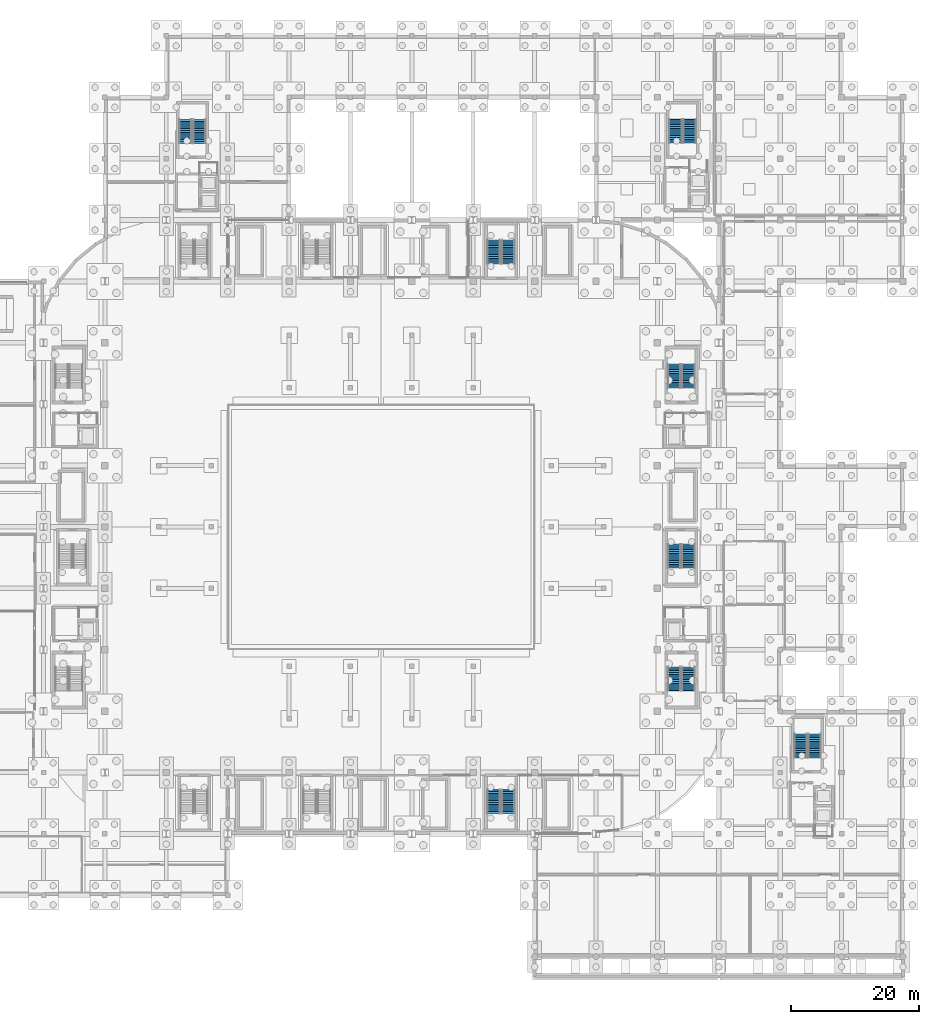
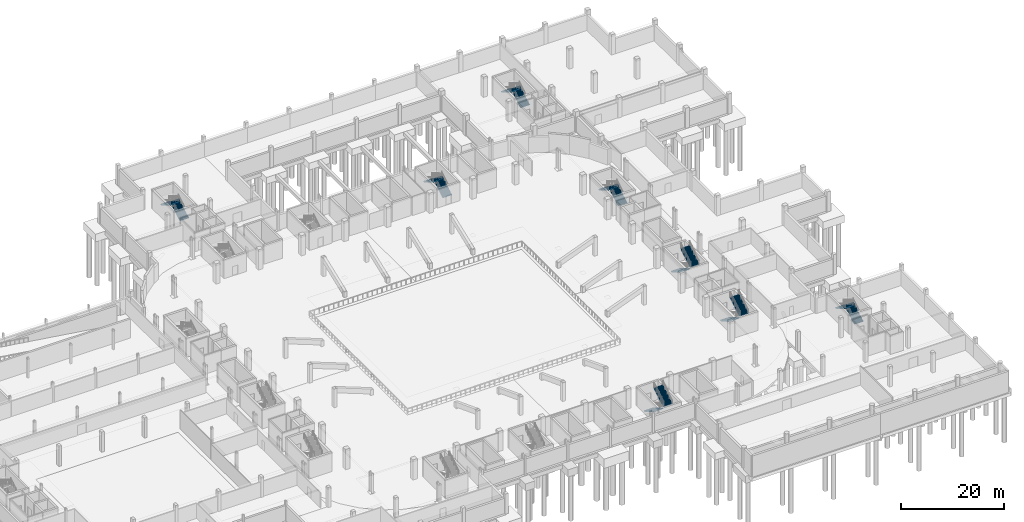
# One storey, part 38 of 67: 16 stair flights, 8 elements without a shape of their own.
"""IFC4 building model written with IfcOpenShell, lengths in metres."""

import ifcopenshell
import ifcopenshell.guid

model = None  # the IFC model being written
_history = None  # IfcOwnerHistory: only IFC2X3 demands one
_inside = {}  # id of a spatial element -> (the spatial element, [elements in it])
_under = {}  # id of a project, library or spatial element -> (it, [spatial elements below it])
_declared = {}  # id of a project -> (the project, [libraries it declares])
_typed = {}  # id of a type object -> (the type object, [elements of that type])
_made_of = {}  # id of a material, layer set ... -> (it, [elements and type objects made of it])


def new_model(schema):
    """Start an empty IFC model of exactly this schema.

    Asked for "IFC4X3", IfcOpenShell would pick the latest addendum, in which some entities
    have other attributes; the version numbers below select the first issue.
    IFC2X3 requires an IfcOwnerHistory on every rooted entity: one is made here for all.
    """
    global model, _history
    if schema == "IFC4X3":
        model = ifcopenshell.file(schema_version=(4, 3, 0, 0))
    else:
        model = ifcopenshell.file(schema=schema)
    _inside.clear()
    _under.clear()
    _declared.clear()
    _typed.clear()
    _made_of.clear()
    _history = None
    if model.schema == "IFC2X3":
        org = make("IfcOrganization", Name="unknown")
        user = make(
            "IfcPersonAndOrganization",
            ThePerson=make("IfcPerson", FamilyName="unknown"),
            TheOrganization=org,
        )
        app = make(
            "IfcApplication",
            ApplicationDeveloper=org,
            Version="unknown",
            ApplicationFullName="unknown",
            ApplicationIdentifier="unknown",
        )
        _history = make(
            "IfcOwnerHistory",
            OwningUser=user,
            OwningApplication=app,
            ChangeAction="ADDED",
            CreationDate=0,
        )
    return model


def make(cls, **values):
    """One entity of the class cls with the attributes given. An attribute that is None is left unset."""
    return model.create_entity(
        cls, **{name: value for name, value in values.items() if value is not None}
    )


def rooted(cls, **values):
    """An entity with a GlobalId (a new one), such as an element, a storey or a relation."""
    return make(cls, GlobalId=ifcopenshell.guid.new(), OwnerHistory=_history, **values)


def si_unit(unit_type, name, prefix=None):
    """IfcSIUnit, for example si_unit("LENGTHUNIT", "METRE", prefix="MILLI")."""
    return make("IfcSIUnit", UnitType=unit_type, Prefix=prefix, Name=name)


def assignment(units):
    """IfcUnitAssignment: the units of a project."""
    return None if units is None else make("IfcUnitAssignment", Units=units)


def point(xyz):
    """IfcCartesianPoint."""
    return None if xyz is None else make("IfcCartesianPoint", Coordinates=xyz)


def direction(xyz):
    """IfcDirection."""
    return None if xyz is None else make("IfcDirection", DirectionRatios=xyz)


def frame(location, z_axis=None, x_axis=None):
    """IfcAxis2Placement3D, a coordinate frame: its origin and axes. An axis left out is left unset."""
    return make(
        "IfcAxis2Placement3D",
        Location=point(location),
        Axis=direction(z_axis),
        RefDirection=direction(x_axis),
    )


def origin():
    """The frame at (0, 0, 0) with its axes left unset."""
    return frame((0.0, 0.0, 0.0))


def place(relative_to, where):
    """IfcLocalPlacement: puts the frame where relative to a parent placement (None: the world)."""
    return make(
        "IfcLocalPlacement", PlacementRelTo=relative_to, RelativePlacement=where
    )


def context(
    kind, dimensions, precision=None, world=None, true_north=None, identifier=None
):
    """IfcGeometricRepresentationContext, for example the 3D "Model" context."""
    return make(
        "IfcGeometricRepresentationContext",
        ContextIdentifier=identifier,
        ContextType=kind,
        CoordinateSpaceDimension=dimensions,
        Precision=precision,
        WorldCoordinateSystem=world,
        TrueNorth=true_north,
    )


def subcontext(parent, identifier, kind, view, scale=None):
    """IfcGeometricRepresentationSubContext, for example "Body" below "Model"."""
    return make(
        "IfcGeometricRepresentationSubContext",
        ContextIdentifier=identifier,
        ContextType=kind,
        ParentContext=parent,
        TargetScale=scale,
        TargetView=view,
    )


def project(units=None, contexts=None):
    """IfcProject with its units and contexts."""
    return rooted(
        "IfcProject",
        Name="project",
        RepresentationContexts=contexts,
        UnitsInContext=assignment(units),
    )


def spatial(cls, under=None, at=None, **own):
    """A site, building, storey or space (cls), placed at a placement, below another one or the project."""
    s = rooted(cls, ObjectPlacement=at, **own)
    if under is not None:
        _under.setdefault(under.id(), (under, []))[1].append(s)
    return s


def polyline(points):
    """IfcPolyline through the points."""
    return make("IfcPolyline", Points=[point(p) for p in points])


def outline(outer, holes=None, kind="AREA"):
    """IfcArbitraryClosedProfileDef: a profile drawn as a closed curve; with holes, ...WithVoids."""
    if holes is None:
        return make("IfcArbitraryClosedProfileDef", ProfileType=kind, OuterCurve=outer)
    return make(
        "IfcArbitraryProfileDefWithVoids",
        ProfileType=kind,
        OuterCurve=outer,
        InnerCurves=holes,
    )


def extrude(swept, where, along, depth):
    """IfcExtrudedAreaSolid: the profile swept, set in the frame where, extruded along a direction by depth."""
    return make(
        "IfcExtrudedAreaSolid",
        SweptArea=swept,
        Position=where,
        ExtrudedDirection=direction(along),
        Depth=depth,
    )


def shape(context_of_items, identifier, shape_type, items):
    """IfcShapeRepresentation: the items that make up one representation, for example the "Body"."""
    return make(
        "IfcShapeRepresentation",
        ContextOfItems=context_of_items,
        RepresentationIdentifier=identifier,
        RepresentationType=shape_type,
        Items=items,
    )


def material(Name=None, Category=None):
    """IfcMaterial."""
    return make("IfcMaterial", Name=Name, Category=Category)


def made_of(thing, what):
    """Note that an element or type object is made of a material, layer set ...; save() writes the relation."""
    if what is not None:
        _made_of.setdefault(what.id(), (what, []))[1].append(thing)
    return thing


def type_object(cls, material=None, **own):
    """A type object (cls), such as IfcWallType, which elements share."""
    return made_of(rooted(cls, **own), material)


def element(
    cls,
    number,
    at=None,
    inside=None,
    cuts=None,
    type_object=None,
    material=None,
    context=None,
    identifier="Body",
    shape_type=None,
    held_by="IfcProductDefinitionShape",
    body=None,
    shapes=None,
    **own,
):
    """One element of the class cls, such as IfcWall. Its Tag is "e" and its number.

    at: its placement. inside: the storey or other place that contains it. cuts: it is an
    opening in that element (IfcRelVoidsElement). A single representation is given by context,
    identifier, shape_type and body (its items); several are given by shapes. held_by: the class
    of the entity that holds the representations. save() writes the other relations.
    """
    e = rooted(cls, Tag="e%d" % number, ObjectPlacement=at, **own)
    if body is not None:
        shapes = [shape(context, identifier, shape_type, body)]
    if shapes is not None:
        e.Representation = make(held_by, Representations=shapes)
    if inside is not None:
        _inside.setdefault(inside.id(), (inside, []))[1].append(e)
    if cuts is not None:
        rooted(
            "IfcRelVoidsElement", RelatingBuildingElement=cuts, RelatedOpeningElement=e
        )
    if type_object is not None:
        _typed.setdefault(type_object.id(), (type_object, []))[1].append(e)
    return made_of(e, material)


def aggregate(whole, parts):
    """IfcRelAggregates: a whole, such as a stair, and the parts it consists of."""
    return rooted("IfcRelAggregates", RelatingObject=whole, RelatedObjects=parts)


def save(model, path):
    """Write the relations noted so far, then the file.

    IfcRelAggregates (storeys below a building ...), IfcRelContainedInSpatialStructure (elements
    in a storey), IfcRelDefinesByType, IfcRelAssociatesMaterial and IfcRelDeclares: one each for
    every whole, place, type object, material and project.
    """
    for whole, parts in _under.values():
        aggregate(whole, parts)
    for where, things in _inside.values():
        rooted(
            "IfcRelContainedInSpatialStructure",
            RelatedElements=things,
            RelatingStructure=where,
        )
    for kind, things in _typed.values():
        rooted("IfcRelDefinesByType", RelatedObjects=things, RelatingType=kind)
    for what, things in _made_of.values():
        rooted("IfcRelAssociatesMaterial", RelatedObjects=things, RelatingMaterial=what)
    for by, libraries in _declared.values():
        rooted("IfcRelDeclares", RelatingContext=by, RelatedDefinitions=libraries)
    model.write(path)


model = new_model("IFC4")

# Units and contexts
model_context = context("Model", 3, precision=1e-05, world=origin(), true_north=direction((0.0, 1.0)))
body_context = subcontext(model_context, "Body", "Model", "MODEL_VIEW")
ifc_project = project(units=[si_unit("LENGTHUNIT", "METRE"), si_unit("AREAUNIT", "SQUARE_METRE"), si_unit("VOLUMEUNIT", "CUBIC_METRE"), si_unit("PLANEANGLEUNIT", "RADIAN"), si_unit("MASSUNIT", "GRAM", prefix="KILO")], contexts=[model_context])

# Site, building, storey
site_placement = place(None, origin())
site = spatial("IfcSite", under=ifc_project, at=site_placement, CompositionType="ELEMENT")
building_placement = place(site_placement, origin())
building = spatial("IfcBuilding", under=site, at=building_placement, Name="Caelomonte Colonnade Arena", CompositionType="ELEMENT")
storey_placement = place(building_placement, frame((0.0, 0.0, -4.800048828125)))
storey = spatial("IfcBuildingStorey", under=building, at=storey_placement, Name="B1", CompositionType="ELEMENT", Elevation=-4.800048828125)

# Stair, stair flights
ifc_material = material(Name="Concrete C40/50", Category="concrete")
stair_type_1 = type_object("IfcStairType", Name="INT-ST-CORE48", PredefinedType="HALF_TURN_STAIR", material=ifc_material)
stair_1_placement = place(storey_placement, origin())
stair_1 = element("IfcStair", 1, at=stair_1_placement, inside=storey, type_object=stair_type_1, Name="B1 Protected exit stair ST-10", PredefinedType="HALF_TURN_STAIR")
stair_flight_type_1 = type_object("IfcStairFlightType", Name="INT-SF-CORE48", PredefinedType="STRAIGHT", material=ifc_material)
stair_flight_1_placement = place(storey_placement, frame((156.22509765625, 64.5, 0.0), z_axis=(0.0, 0.0, 1.0), x_axis=(0.0, -1.0, 0.0)))
stair_flight_1 = element("IfcStairFlight", 2, at=stair_flight_1_placement, type_object=stair_flight_type_1, Name="ST-10 flight 1", NumberOfRisers=14, NumberOfTreads=13, PredefinedType="STRAIGHT", RiserHeight=0.171428571, TreadLength=0.285, context=body_context, shape_type="SweptSolid", body=[
    extrude(outline(polyline([(-0.02490234375, 0.0), (-0.02490234375, 0.102783203125), (0.0, 0.102783203125), (0.0, 0.17138671875), (0.284912109375, 0.17138671875), (0.284912109375, 0.3427734375), (0.570068359375, 0.3427734375), (0.570068359375, 0.514404296875), (0.85498046875, 0.514404296875), (0.85498046875, 0.685791015625), (1.139892578125, 0.685791015625), (1.139892578125, 0.857177734375), (1.425048828125, 0.857177734375), (1.425048828125, 1.028564453125), (1.7099609375, 1.028564453125), (1.7099609375, 1.199951171875), (1.9951171875, 1.199951171875), (1.9951171875, 1.371337890625), (2.280029296875, 1.371337890625), (2.280029296875, 1.54296875), (2.56494140625, 1.54296875), (2.56494140625, 1.71435546875), (2.85009765625, 1.71435546875), (2.85009765625, 1.8857421875), (3.135009765625, 1.8857421875), (3.135009765625, 2.05712890625), (3.419921875, 2.05712890625), (3.419921875, 2.228515625), (3.705078125, 2.228515625), (3.705078125, 2.39990234375), (3.72998046875, 2.39990234375), (3.72998046875, 2.0537109375), (0.290771484375, 0.0), (-0.02490234375, 0.0)])), frame((0.0, 1.02490234375, 0.0), z_axis=(0.0, -1.0, 0.0), x_axis=(1.0, 0.0, 0.0)), (0.0, 0.0, 1.0), 2.050048828125),
])
stair_flight_2_placement = place(storey_placement, frame((158.47509765625, 60.794921875, 2.400146484375), z_axis=(0.0, 0.0, 1.0), x_axis=(0.0, 1.0, 0.0)))
stair_flight_2 = element("IfcStairFlight", 3, at=stair_flight_2_placement, type_object=stair_flight_type_1, Name="ST-10 flight 2", NumberOfRisers=14, NumberOfTreads=13, PredefinedType="STRAIGHT", RiserHeight=0.171428571, TreadLength=0.285, context=body_context, shape_type="SweptSolid", body=[
    extrude(outline(polyline([(-0.02490234375, 0.0), (-0.02490234375, 0.102783203125), (0.0, 0.102783203125), (0.0, 0.17138671875), (0.284912109375, 0.17138671875), (0.284912109375, 0.3427734375), (0.570068359375, 0.3427734375), (0.570068359375, 0.514404296875), (0.85498046875, 0.514404296875), (0.85498046875, 0.685791015625), (1.139892578125, 0.685791015625), (1.139892578125, 0.857177734375), (1.425048828125, 0.857177734375), (1.425048828125, 1.028564453125), (1.7099609375, 1.028564453125), (1.7099609375, 1.199951171875), (1.9951171875, 1.199951171875), (1.9951171875, 1.371337890625), (2.280029296875, 1.371337890625), (2.280029296875, 1.54296875), (2.56494140625, 1.54296875), (2.56494140625, 1.71435546875), (2.85009765625, 1.71435546875), (2.85009765625, 1.8857421875), (3.135009765625, 1.8857421875), (3.135009765625, 2.05712890625), (3.419921875, 2.05712890625), (3.419921875, 2.228515625), (3.705078125, 2.228515625), (3.705078125, 2.39990234375), (3.72998046875, 2.39990234375), (3.72998046875, 2.0537109375), (0.290771484375, 0.0), (-0.02490234375, 0.0)])), frame((0.0, 1.02490234375, 0.0), z_axis=(0.0, -1.0, 0.0), x_axis=(1.0, 0.0, 0.0)), (0.0, 0.0, 1.0), 2.050048828125),
])
aggregate(stair_1, [stair_flight_1, stair_flight_2])

stair_2_placement = place(storey_placement, origin())
stair_2 = element("IfcStair", 4, at=stair_2_placement, inside=storey, type_object=stair_type_1, Name="B1 Protected exit stair ST-13", PredefinedType="HALF_TURN_STAIR")
stair_flight_3_placement = place(storey_placement, frame((128.02490234375, 26.10009765625, 0.0), z_axis=(0.0, 0.0, 1.0), x_axis=(0.0, -1.0, 0.0)))
stair_flight_3 = element("IfcStairFlight", 5, at=stair_flight_3_placement, type_object=stair_flight_type_1, Name="ST-13 flight 1", NumberOfRisers=14, NumberOfTreads=13, PredefinedType="STRAIGHT", RiserHeight=0.171428571, TreadLength=0.285, context=body_context, shape_type="SweptSolid", body=[
    extrude(outline(polyline([(-0.02490234375, 0.0), (-0.02490234375, 0.102783203125), (0.0, 0.102783203125), (0.0, 0.17138671875), (0.284912109375, 0.17138671875), (0.284912109375, 0.3427734375), (0.570068359375, 0.3427734375), (0.570068359375, 0.514404296875), (0.85498046875, 0.514404296875), (0.85498046875, 0.685791015625), (1.139892578125, 0.685791015625), (1.139892578125, 0.857177734375), (1.425048828125, 0.857177734375), (1.425048828125, 1.028564453125), (1.7099609375, 1.028564453125), (1.7099609375, 1.199951171875), (1.9951171875, 1.199951171875), (1.9951171875, 1.371337890625), (2.280029296875, 1.371337890625), (2.280029296875, 1.54296875), (2.56494140625, 1.54296875), (2.56494140625, 1.71435546875), (2.85009765625, 1.71435546875), (2.85009765625, 1.8857421875), (3.135009765625, 1.8857421875), (3.135009765625, 2.05712890625), (3.419921875, 2.05712890625), (3.419921875, 2.228515625), (3.705078125, 2.228515625), (3.705078125, 2.39990234375), (3.72998046875, 2.39990234375), (3.72998046875, 2.0537109375), (0.290771484375, 0.0), (-0.02490234375, 0.0)])), frame((0.0, 1.02490234375, 0.0), z_axis=(0.0, -1.0, 0.0), x_axis=(1.0, 0.0, 0.0)), (0.0, 0.0, 1.0), 2.050048828125),
])
stair_flight_4_placement = place(storey_placement, frame((130.27490234375, 22.39501953125, 2.400146484375), z_axis=(0.0, 0.0, 1.0), x_axis=(0.0, 1.0, 0.0)))
stair_flight_4 = element("IfcStairFlight", 6, at=stair_flight_4_placement, type_object=stair_flight_type_1, Name="ST-13 flight 2", NumberOfRisers=14, NumberOfTreads=13, PredefinedType="STRAIGHT", RiserHeight=0.171428571, TreadLength=0.285, context=body_context, shape_type="SweptSolid", body=[
    extrude(outline(polyline([(-0.02490234375, 0.0), (-0.02490234375, 0.102783203125), (0.0, 0.102783203125), (0.0, 0.17138671875), (0.284912109375, 0.17138671875), (0.284912109375, 0.3427734375), (0.570068359375, 0.3427734375), (0.570068359375, 0.514404296875), (0.85498046875, 0.514404296875), (0.85498046875, 0.685791015625), (1.139892578125, 0.685791015625), (1.139892578125, 0.857177734375), (1.425048828125, 0.857177734375), (1.425048828125, 1.028564453125), (1.7099609375, 1.028564453125), (1.7099609375, 1.199951171875), (1.9951171875, 1.199951171875), (1.9951171875, 1.371337890625), (2.280029296875, 1.371337890625), (2.280029296875, 1.54296875), (2.56494140625, 1.54296875), (2.56494140625, 1.71435546875), (2.85009765625, 1.71435546875), (2.85009765625, 1.8857421875), (3.135009765625, 1.8857421875), (3.135009765625, 2.05712890625), (3.419921875, 2.05712890625), (3.419921875, 2.228515625), (3.705078125, 2.228515625), (3.705078125, 2.39990234375), (3.72998046875, 2.39990234375), (3.72998046875, 2.0537109375), (0.290771484375, 0.0), (-0.02490234375, 0.0)])), frame((0.0, 1.02490234375, 0.0), z_axis=(0.0, -1.0, 0.0), x_axis=(1.0, 0.0, 0.0)), (0.0, 0.0, 1.0), 2.050048828125),
])
aggregate(stair_2, [stair_flight_3, stair_flight_4])

stair_3_placement = place(storey_placement, origin())
stair_3 = element("IfcStair", 7, at=stair_3_placement, inside=storey, type_object=stair_type_1, Name="B1 Protected exit stair ST-16", PredefinedType="HALF_TURN_STAIR")
stair_flight_5_placement = place(storey_placement, frame((130.27490234375, 108.35009765625, 0.0), z_axis=(0.0, 0.0, 1.0), x_axis=(0.0, 1.0, 0.0)))
stair_flight_5 = element("IfcStairFlight", 8, at=stair_flight_5_placement, type_object=stair_flight_type_1, Name="ST-16 flight 1", NumberOfRisers=14, NumberOfTreads=13, PredefinedType="STRAIGHT", RiserHeight=0.171428571, TreadLength=0.285, context=body_context, shape_type="SweptSolid", body=[
    extrude(outline(polyline([(-0.02490234375, 0.0), (-0.02490234375, 0.102783203125), (0.0, 0.102783203125), (0.0, 0.17138671875), (0.284912109375, 0.17138671875), (0.284912109375, 0.3427734375), (0.570068359375, 0.3427734375), (0.570068359375, 0.514404296875), (0.85498046875, 0.514404296875), (0.85498046875, 0.685791015625), (1.139892578125, 0.685791015625), (1.139892578125, 0.857177734375), (1.425048828125, 0.857177734375), (1.425048828125, 1.028564453125), (1.7099609375, 1.028564453125), (1.7099609375, 1.199951171875), (1.9951171875, 1.199951171875), (1.9951171875, 1.371337890625), (2.280029296875, 1.371337890625), (2.280029296875, 1.54296875), (2.56494140625, 1.54296875), (2.56494140625, 1.71435546875), (2.85009765625, 1.71435546875), (2.85009765625, 1.8857421875), (3.135009765625, 1.8857421875), (3.135009765625, 2.05712890625), (3.419921875, 2.05712890625), (3.419921875, 2.228515625), (3.705078125, 2.228515625), (3.705078125, 2.39990234375), (3.72998046875, 2.39990234375), (3.72998046875, 2.0537109375), (0.290771484375, 0.0), (-0.02490234375, 0.0)])), frame((0.0, 1.02490234375, 0.0), z_axis=(0.0, -1.0, 0.0), x_axis=(1.0, 0.0, 0.0)), (0.0, 0.0, 1.0), 2.050048828125),
])
stair_flight_6_placement = place(storey_placement, frame((128.02490234375, 112.054931640625, 2.400146484375), z_axis=(0.0, 0.0, 1.0), x_axis=(0.0, -1.0, 0.0)))
stair_flight_6 = element("IfcStairFlight", 9, at=stair_flight_6_placement, type_object=stair_flight_type_1, Name="ST-16 flight 2", NumberOfRisers=14, NumberOfTreads=13, PredefinedType="STRAIGHT", RiserHeight=0.171428571, TreadLength=0.285, context=body_context, shape_type="SweptSolid", body=[
    extrude(outline(polyline([(-0.02490234375, 0.0), (-0.02490234375, 0.102783203125), (0.0, 0.102783203125), (0.0, 0.17138671875), (0.284912109375, 0.17138671875), (0.284912109375, 0.3427734375), (0.570068359375, 0.3427734375), (0.570068359375, 0.514404296875), (0.85498046875, 0.514404296875), (0.85498046875, 0.685791015625), (1.139892578125, 0.685791015625), (1.139892578125, 0.857177734375), (1.425048828125, 0.857177734375), (1.425048828125, 1.028564453125), (1.7099609375, 1.028564453125), (1.7099609375, 1.199951171875), (1.9951171875, 1.199951171875), (1.9951171875, 1.371337890625), (2.280029296875, 1.371337890625), (2.280029296875, 1.54296875), (2.56494140625, 1.54296875), (2.56494140625, 1.71435546875), (2.85009765625, 1.71435546875), (2.85009765625, 1.8857421875), (3.135009765625, 1.8857421875), (3.135009765625, 2.05712890625), (3.419921875, 2.05712890625), (3.419921875, 2.228515625), (3.705078125, 2.228515625), (3.705078125, 2.39990234375), (3.72998046875, 2.39990234375), (3.72998046875, 2.0537109375), (0.290771484375, 0.0), (-0.02490234375, 0.0)])), frame((0.0, 1.02490234375, 0.0), z_axis=(0.0, -1.0, 0.0), x_axis=(1.0, 0.0, 0.0)), (0.0, 0.0, 1.0), 2.050048828125),
])
aggregate(stair_3, [stair_flight_5, stair_flight_6])

stair_type_2 = type_object("IfcStairType", Name="INT-ST-WING48", PredefinedType="HALF_TURN_STAIR", material=ifc_material)
stair_4_placement = place(storey_placement, origin())
stair_4 = element("IfcStair", 10, at=stair_4_placement, inside=storey, type_object=stair_type_2, Name="B1 Core C2 exit stair ST-02", PredefinedType="HALF_TURN_STAIR")
stair_flight_type_2 = type_object("IfcStairFlightType", Name="INT-SF-WING48", PredefinedType="STRAIGHT", material=ifc_material)
stair_flight_7_placement = place(storey_placement, frame((156.22509765625, 45.300048828125, 0.0), z_axis=(0.0, 0.0, 1.0), x_axis=(0.0, -1.0, 0.0)))
stair_flight_7 = element("IfcStairFlight", 11, at=stair_flight_7_placement, type_object=stair_flight_type_2, Name="ST-02 flight 1", NumberOfRisers=14, NumberOfTreads=13, PredefinedType="STRAIGHT", RiserHeight=0.171428571, TreadLength=0.285, context=body_context, shape_type="SweptSolid", body=[
    extrude(outline(polyline([(-0.02490234375, 0.0), (-0.02490234375, 0.102783203125), (0.0, 0.102783203125), (0.0, 0.17138671875), (0.284912109375, 0.17138671875), (0.284912109375, 0.3427734375), (0.570068359375, 0.3427734375), (0.570068359375, 0.514404296875), (0.85498046875, 0.514404296875), (0.85498046875, 0.685791015625), (1.139892578125, 0.685791015625), (1.139892578125, 0.857177734375), (1.425048828125, 0.857177734375), (1.425048828125, 1.028564453125), (1.7099609375, 1.028564453125), (1.7099609375, 1.199951171875), (1.9951171875, 1.199951171875), (1.9951171875, 1.371337890625), (2.280029296875, 1.371337890625), (2.280029296875, 1.54296875), (2.56494140625, 1.54296875), (2.56494140625, 1.71435546875), (2.85009765625, 1.71435546875), (2.85009765625, 1.8857421875), (3.135009765625, 1.8857421875), (3.135009765625, 2.05712890625), (3.419921875, 2.05712890625), (3.419921875, 2.228515625), (3.705078125, 2.228515625), (3.705078125, 2.39990234375), (3.72998046875, 2.39990234375), (3.72998046875, 2.0537109375), (0.290771484375, 0.0), (-0.02490234375, 0.0)])), frame((0.0, 1.02490234375, 0.0), z_axis=(0.0, -1.0, 0.0), x_axis=(1.0, 0.0, 0.0)), (0.0, 0.0, 1.0), 2.050048828125),
])
stair_flight_8_placement = place(storey_placement, frame((158.47509765625, 41.594970703125, 2.400146484375), z_axis=(0.0, 0.0, 1.0), x_axis=(0.0, 1.0, 0.0)))
stair_flight_8 = element("IfcStairFlight", 12, at=stair_flight_8_placement, type_object=stair_flight_type_2, Name="ST-02 flight 2", NumberOfRisers=14, NumberOfTreads=13, PredefinedType="STRAIGHT", RiserHeight=0.171428571, TreadLength=0.285, context=body_context, shape_type="SweptSolid", body=[
    extrude(outline(polyline([(-0.02490234375, 0.0), (-0.02490234375, 0.102783203125), (0.0, 0.102783203125), (0.0, 0.17138671875), (0.284912109375, 0.17138671875), (0.284912109375, 0.3427734375), (0.570068359375, 0.3427734375), (0.570068359375, 0.514404296875), (0.85498046875, 0.514404296875), (0.85498046875, 0.685791015625), (1.139892578125, 0.685791015625), (1.139892578125, 0.857177734375), (1.425048828125, 0.857177734375), (1.425048828125, 1.028564453125), (1.7099609375, 1.028564453125), (1.7099609375, 1.199951171875), (1.9951171875, 1.199951171875), (1.9951171875, 1.371337890625), (2.280029296875, 1.371337890625), (2.280029296875, 1.54296875), (2.56494140625, 1.54296875), (2.56494140625, 1.71435546875), (2.85009765625, 1.71435546875), (2.85009765625, 1.8857421875), (3.135009765625, 1.8857421875), (3.135009765625, 2.05712890625), (3.419921875, 2.05712890625), (3.419921875, 2.228515625), (3.705078125, 2.228515625), (3.705078125, 2.39990234375), (3.72998046875, 2.39990234375), (3.72998046875, 2.0537109375), (0.290771484375, 0.0), (-0.02490234375, 0.0)])), frame((0.0, 1.02490234375, 0.0), z_axis=(0.0, -1.0, 0.0), x_axis=(1.0, 0.0, 0.0)), (0.0, 0.0, 1.0), 2.050048828125),
])
aggregate(stair_4, [stair_flight_7, stair_flight_8])

stair_5_placement = place(storey_placement, origin())
stair_5 = element("IfcStair", 13, at=stair_5_placement, inside=storey, type_object=stair_type_2, Name="B1 Core C3 exit stair ST-03", PredefinedType="HALF_TURN_STAIR")
stair_flight_9_placement = place(storey_placement, frame((158.47509765625, 88.949951171875, 0.0), z_axis=(0.0, 0.0, 1.0), x_axis=(0.0, 1.0, 0.0)))
stair_flight_9 = element("IfcStairFlight", 14, at=stair_flight_9_placement, type_object=stair_flight_type_2, Name="ST-03 flight 1", NumberOfRisers=14, NumberOfTreads=13, PredefinedType="STRAIGHT", RiserHeight=0.171428571, TreadLength=0.285, context=body_context, shape_type="SweptSolid", body=[
    extrude(outline(polyline([(-0.02490234375, 0.0), (-0.02490234375, 0.102783203125), (0.0, 0.102783203125), (0.0, 0.17138671875), (0.284912109375, 0.17138671875), (0.284912109375, 0.3427734375), (0.570068359375, 0.3427734375), (0.570068359375, 0.514404296875), (0.85498046875, 0.514404296875), (0.85498046875, 0.685791015625), (1.139892578125, 0.685791015625), (1.139892578125, 0.857177734375), (1.425048828125, 0.857177734375), (1.425048828125, 1.028564453125), (1.7099609375, 1.028564453125), (1.7099609375, 1.199951171875), (1.9951171875, 1.199951171875), (1.9951171875, 1.371337890625), (2.280029296875, 1.371337890625), (2.280029296875, 1.54296875), (2.56494140625, 1.54296875), (2.56494140625, 1.71435546875), (2.85009765625, 1.71435546875), (2.85009765625, 1.8857421875), (3.135009765625, 1.8857421875), (3.135009765625, 2.05712890625), (3.419921875, 2.05712890625), (3.419921875, 2.228515625), (3.705078125, 2.228515625), (3.705078125, 2.39990234375), (3.72998046875, 2.39990234375), (3.72998046875, 2.0537109375), (0.290771484375, 0.0), (-0.02490234375, 0.0)])), frame((0.0, 1.02490234375, 0.0), z_axis=(0.0, -1.0, 0.0), x_axis=(1.0, 0.0, 0.0)), (0.0, 0.0, 1.0), 2.050048828125),
])
stair_flight_10_placement = place(storey_placement, frame((156.22509765625, 92.655029296875, 2.400146484375), z_axis=(0.0, 0.0, 1.0), x_axis=(0.0, -1.0, 0.0)))
stair_flight_10 = element("IfcStairFlight", 15, at=stair_flight_10_placement, type_object=stair_flight_type_2, Name="ST-03 flight 2", NumberOfRisers=14, NumberOfTreads=13, PredefinedType="STRAIGHT", RiserHeight=0.171428571, TreadLength=0.285, context=body_context, shape_type="SweptSolid", body=[
    extrude(outline(polyline([(-0.02490234375, 0.0), (-0.02490234375, 0.102783203125), (0.0, 0.102783203125), (0.0, 0.17138671875), (0.284912109375, 0.17138671875), (0.284912109375, 0.3427734375), (0.570068359375, 0.3427734375), (0.570068359375, 0.514404296875), (0.85498046875, 0.514404296875), (0.85498046875, 0.685791015625), (1.139892578125, 0.685791015625), (1.139892578125, 0.857177734375), (1.425048828125, 0.857177734375), (1.425048828125, 1.028564453125), (1.7099609375, 1.028564453125), (1.7099609375, 1.199951171875), (1.9951171875, 1.199951171875), (1.9951171875, 1.371337890625), (2.280029296875, 1.371337890625), (2.280029296875, 1.54296875), (2.56494140625, 1.54296875), (2.56494140625, 1.71435546875), (2.85009765625, 1.71435546875), (2.85009765625, 1.8857421875), (3.135009765625, 1.8857421875), (3.135009765625, 2.05712890625), (3.419921875, 2.05712890625), (3.419921875, 2.228515625), (3.705078125, 2.228515625), (3.705078125, 2.39990234375), (3.72998046875, 2.39990234375), (3.72998046875, 2.0537109375), (0.290771484375, 0.0), (-0.02490234375, 0.0)])), frame((0.0, 1.02490234375, 0.0), z_axis=(0.0, -1.0, 0.0), x_axis=(1.0, 0.0, 0.0)), (0.0, 0.0, 1.0), 2.050048828125),
])
aggregate(stair_5, [stair_flight_9, stair_flight_10])

stair_6_placement = place(storey_placement, origin())
stair_6 = element("IfcStair", 16, at=stair_6_placement, inside=storey, type_object=stair_type_2, Name="B1 Core C5 exit stair ST-05", PredefinedType="HALF_TURN_STAIR")
stair_flight_11_placement = place(storey_placement, frame((178.199951171875, 31.10009765625, 0.0), z_axis=(0.0, 0.0, 1.0), x_axis=(0.0, 1.0, 0.0)))
stair_flight_11 = element("IfcStairFlight", 17, at=stair_flight_11_placement, type_object=stair_flight_type_2, Name="ST-05 flight 1", NumberOfRisers=14, NumberOfTreads=13, PredefinedType="STRAIGHT", RiserHeight=0.171428571, TreadLength=0.285, context=body_context, shape_type="SweptSolid", body=[
    extrude(outline(polyline([(-0.02490234375, 0.0), (-0.02490234375, 0.102783203125), (0.0, 0.102783203125), (0.0, 0.17138671875), (0.284912109375, 0.17138671875), (0.284912109375, 0.3427734375), (0.570068359375, 0.3427734375), (0.570068359375, 0.514404296875), (0.85498046875, 0.514404296875), (0.85498046875, 0.685791015625), (1.139892578125, 0.685791015625), (1.139892578125, 0.857177734375), (1.425048828125, 0.857177734375), (1.425048828125, 1.028564453125), (1.7099609375, 1.028564453125), (1.7099609375, 1.199951171875), (1.9951171875, 1.199951171875), (1.9951171875, 1.371337890625), (2.280029296875, 1.371337890625), (2.280029296875, 1.54296875), (2.56494140625, 1.54296875), (2.56494140625, 1.71435546875), (2.85009765625, 1.71435546875), (2.85009765625, 1.8857421875), (3.135009765625, 1.8857421875), (3.135009765625, 2.05712890625), (3.419921875, 2.05712890625), (3.419921875, 2.228515625), (3.705078125, 2.228515625), (3.705078125, 2.39990234375), (3.72998046875, 2.39990234375), (3.72998046875, 2.0537109375), (0.290771484375, 0.0), (-0.02490234375, 0.0)])), frame((0.0, 1.0, 0.0), z_axis=(0.0, -1.0, 0.0), x_axis=(1.0, 0.0, 0.0)), (0.0, 0.0, 1.0), 2.0),
])
stair_flight_12_placement = place(storey_placement, frame((176.0, 34.804931640625, 2.400146484375), z_axis=(0.0, 0.0, 1.0), x_axis=(0.0, -1.0, 0.0)))
stair_flight_12 = element("IfcStairFlight", 18, at=stair_flight_12_placement, type_object=stair_flight_type_2, Name="ST-05 flight 2", NumberOfRisers=14, NumberOfTreads=13, PredefinedType="STRAIGHT", RiserHeight=0.171428571, TreadLength=0.285, context=body_context, shape_type="SweptSolid", body=[
    extrude(outline(polyline([(-0.02490234375, 0.0), (-0.02490234375, 0.102783203125), (0.0, 0.102783203125), (0.0, 0.17138671875), (0.284912109375, 0.17138671875), (0.284912109375, 0.3427734375), (0.570068359375, 0.3427734375), (0.570068359375, 0.514404296875), (0.85498046875, 0.514404296875), (0.85498046875, 0.685791015625), (1.139892578125, 0.685791015625), (1.139892578125, 0.857177734375), (1.425048828125, 0.857177734375), (1.425048828125, 1.028564453125), (1.7099609375, 1.028564453125), (1.7099609375, 1.199951171875), (1.9951171875, 1.199951171875), (1.9951171875, 1.371337890625), (2.280029296875, 1.371337890625), (2.280029296875, 1.54296875), (2.56494140625, 1.54296875), (2.56494140625, 1.71435546875), (2.85009765625, 1.71435546875), (2.85009765625, 1.8857421875), (3.135009765625, 1.8857421875), (3.135009765625, 2.05712890625), (3.419921875, 2.05712890625), (3.419921875, 2.228515625), (3.705078125, 2.228515625), (3.705078125, 2.39990234375), (3.72998046875, 2.39990234375), (3.72998046875, 2.0537109375), (0.290771484375, 0.0), (-0.02490234375, 0.0)])), frame((0.0, 1.0, 0.0), z_axis=(0.0, -1.0, 0.0), x_axis=(1.0, 0.0, 0.0)), (0.0, 0.0, 1.0), 2.0),
])
aggregate(stair_6, [stair_flight_11, stair_flight_12])

stair_7_placement = place(storey_placement, origin())
stair_7 = element("IfcStair", 19, at=stair_7_placement, inside=storey, type_object=stair_type_2, Name="B1 Core C6 exit stair ST-06", PredefinedType="HALF_TURN_STAIR")
stair_flight_13_placement = place(storey_placement, frame((158.675048828125, 127.25, 0.0), z_axis=(0.0, 0.0, 1.0), x_axis=(0.0, 1.0, 0.0)))
stair_flight_13 = element("IfcStairFlight", 20, at=stair_flight_13_placement, type_object=stair_flight_type_2, Name="ST-06 flight 1", NumberOfRisers=14, NumberOfTreads=13, PredefinedType="STRAIGHT", RiserHeight=0.171428571, TreadLength=0.285, context=body_context, shape_type="SweptSolid", body=[
    extrude(outline(polyline([(-0.02490234375, 0.0), (-0.02490234375, 0.102783203125), (0.0, 0.102783203125), (0.0, 0.17138671875), (0.284912109375, 0.17138671875), (0.284912109375, 0.3427734375), (0.570068359375, 0.3427734375), (0.570068359375, 0.514404296875), (0.85498046875, 0.514404296875), (0.85498046875, 0.685791015625), (1.139892578125, 0.685791015625), (1.139892578125, 0.857177734375), (1.425048828125, 0.857177734375), (1.425048828125, 1.028564453125), (1.7099609375, 1.028564453125), (1.7099609375, 1.199951171875), (1.9951171875, 1.199951171875), (1.9951171875, 1.371337890625), (2.280029296875, 1.371337890625), (2.280029296875, 1.54296875), (2.56494140625, 1.54296875), (2.56494140625, 1.71435546875), (2.85009765625, 1.71435546875), (2.85009765625, 1.8857421875), (3.135009765625, 1.8857421875), (3.135009765625, 2.05712890625), (3.419921875, 2.05712890625), (3.419921875, 2.228515625), (3.705078125, 2.228515625), (3.705078125, 2.39990234375), (3.72998046875, 2.39990234375), (3.72998046875, 2.0537109375), (0.290771484375, 0.0), (-0.02490234375, 0.0)])), frame((0.0, 1.02490234375, 0.0), z_axis=(0.0, -1.0, 0.0), x_axis=(1.0, 0.0, 0.0)), (0.0, 0.0, 1.0), 2.050048828125),
])
stair_flight_14_placement = place(storey_placement, frame((156.425048828125, 130.955078125, 2.400146484375), z_axis=(0.0, 0.0, 1.0), x_axis=(0.0, -1.0, 0.0)))
stair_flight_14 = element("IfcStairFlight", 21, at=stair_flight_14_placement, type_object=stair_flight_type_2, Name="ST-06 flight 2", NumberOfRisers=14, NumberOfTreads=13, PredefinedType="STRAIGHT", RiserHeight=0.171428571, TreadLength=0.285, context=body_context, shape_type="SweptSolid", body=[
    extrude(outline(polyline([(-0.02490234375, 0.0), (-0.02490234375, 0.102783203125), (0.0, 0.102783203125), (0.0, 0.17138671875), (0.284912109375, 0.17138671875), (0.284912109375, 0.3427734375), (0.570068359375, 0.3427734375), (0.570068359375, 0.514404296875), (0.85498046875, 0.514404296875), (0.85498046875, 0.685791015625), (1.139892578125, 0.685791015625), (1.139892578125, 0.857177734375), (1.425048828125, 0.857177734375), (1.425048828125, 1.028564453125), (1.7099609375, 1.028564453125), (1.7099609375, 1.199951171875), (1.9951171875, 1.199951171875), (1.9951171875, 1.371337890625), (2.280029296875, 1.371337890625), (2.280029296875, 1.54296875), (2.56494140625, 1.54296875), (2.56494140625, 1.71435546875), (2.85009765625, 1.71435546875), (2.85009765625, 1.8857421875), (3.135009765625, 1.8857421875), (3.135009765625, 2.05712890625), (3.419921875, 2.05712890625), (3.419921875, 2.228515625), (3.705078125, 2.228515625), (3.705078125, 2.39990234375), (3.72998046875, 2.39990234375), (3.72998046875, 2.0537109375), (0.290771484375, 0.0), (-0.02490234375, 0.0)])), frame((0.0, 1.02490234375, 0.0), z_axis=(0.0, -1.0, 0.0), x_axis=(1.0, 0.0, 0.0)), (0.0, 0.0, 1.0), 2.050048828125),
])
aggregate(stair_7, [stair_flight_13, stair_flight_14])

stair_8_placement = place(storey_placement, origin())
stair_8 = element("IfcStair", 22, at=stair_8_placement, inside=storey, type_object=stair_type_2, Name="B1 Core C7 exit stair ST-07", PredefinedType="HALF_TURN_STAIR")
stair_flight_15_placement = place(storey_placement, frame((82.0, 127.199951171875, 0.0), z_axis=(0.0, 0.0, 1.0), x_axis=(0.0, 1.0, 0.0)))
stair_flight_15 = element("IfcStairFlight", 23, at=stair_flight_15_placement, type_object=stair_flight_type_2, Name="ST-07 flight 1", NumberOfRisers=14, NumberOfTreads=13, PredefinedType="STRAIGHT", RiserHeight=0.171428571, TreadLength=0.285, context=body_context, shape_type="SweptSolid", body=[
    extrude(outline(polyline([(-0.02490234375, 0.0), (-0.02490234375, 0.102783203125), (0.0, 0.102783203125), (0.0, 0.17138671875), (0.284912109375, 0.17138671875), (0.284912109375, 0.3427734375), (0.570068359375, 0.3427734375), (0.570068359375, 0.514404296875), (0.85498046875, 0.514404296875), (0.85498046875, 0.685791015625), (1.139892578125, 0.685791015625), (1.139892578125, 0.857177734375), (1.425048828125, 0.857177734375), (1.425048828125, 1.028564453125), (1.7099609375, 1.028564453125), (1.7099609375, 1.199951171875), (1.9951171875, 1.199951171875), (1.9951171875, 1.371337890625), (2.280029296875, 1.371337890625), (2.280029296875, 1.54296875), (2.56494140625, 1.54296875), (2.56494140625, 1.71435546875), (2.85009765625, 1.71435546875), (2.85009765625, 1.8857421875), (3.135009765625, 1.8857421875), (3.135009765625, 2.05712890625), (3.419921875, 2.05712890625), (3.419921875, 2.228515625), (3.705078125, 2.228515625), (3.705078125, 2.39990234375), (3.72998046875, 2.39990234375), (3.72998046875, 2.0537109375), (0.290771484375, 0.0), (-0.02490234375, 0.0)])), frame((0.0, 1.0, 0.0), z_axis=(0.0, -1.0, 0.0), x_axis=(1.0, 0.0, 0.0)), (0.0, 0.0, 1.0), 2.0),
])
stair_flight_16_placement = place(storey_placement, frame((79.800048828125, 130.905029296875, 2.400146484375), z_axis=(0.0, 0.0, 1.0), x_axis=(0.0, -1.0, 0.0)))
stair_flight_16 = element("IfcStairFlight", 24, at=stair_flight_16_placement, type_object=stair_flight_type_2, Name="ST-07 flight 2", NumberOfRisers=14, NumberOfTreads=13, PredefinedType="STRAIGHT", RiserHeight=0.171428571, TreadLength=0.285, context=body_context, shape_type="SweptSolid", body=[
    extrude(outline(polyline([(-0.02490234375, 0.0), (-0.02490234375, 0.102783203125), (0.0, 0.102783203125), (0.0, 0.17138671875), (0.284912109375, 0.17138671875), (0.284912109375, 0.3427734375), (0.570068359375, 0.3427734375), (0.570068359375, 0.514404296875), (0.85498046875, 0.514404296875), (0.85498046875, 0.685791015625), (1.139892578125, 0.685791015625), (1.139892578125, 0.857177734375), (1.425048828125, 0.857177734375), (1.425048828125, 1.028564453125), (1.7099609375, 1.028564453125), (1.7099609375, 1.199951171875), (1.9951171875, 1.199951171875), (1.9951171875, 1.371337890625), (2.280029296875, 1.371337890625), (2.280029296875, 1.54296875), (2.56494140625, 1.54296875), (2.56494140625, 1.71435546875), (2.85009765625, 1.71435546875), (2.85009765625, 1.8857421875), (3.135009765625, 1.8857421875), (3.135009765625, 2.05712890625), (3.419921875, 2.05712890625), (3.419921875, 2.228515625), (3.705078125, 2.228515625), (3.705078125, 2.39990234375), (3.72998046875, 2.39990234375), (3.72998046875, 2.0537109375), (0.290771484375, 0.0), (-0.02490234375, 0.0)])), frame((0.0, 1.0, 0.0), z_axis=(0.0, -1.0, 0.0), x_axis=(1.0, 0.0, 0.0)), (0.0, 0.0, 1.0), 2.0),
])
aggregate(stair_8, [stair_flight_15, stair_flight_16])

save(model, "model.ifc")
